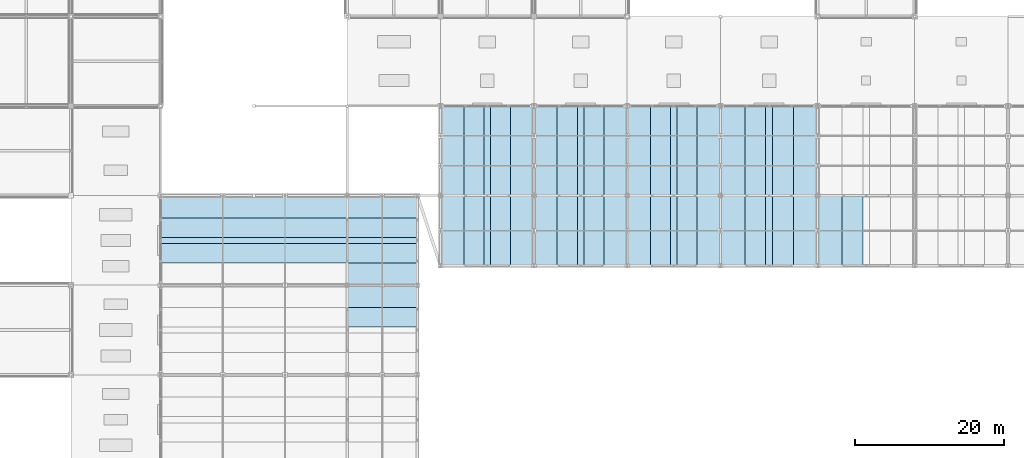
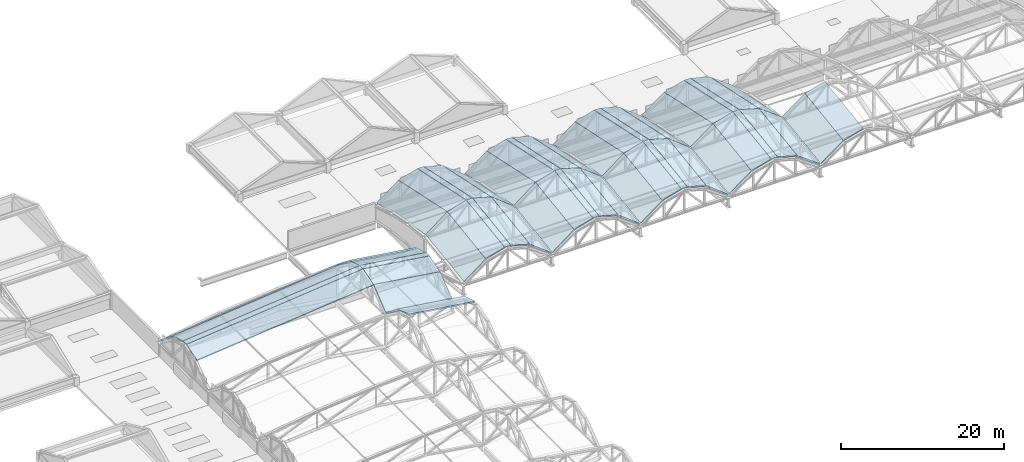
# One storey, part 92 of 117: 43 slabs, 10 plates.
"""IFC4 building model written with IfcOpenShell, lengths in metres."""

from ifc_helpers import new_model, si_unit, direction, frame, origin, place, context, subcontext, project, spatial, polyline, outline, extrude, material, layer, layer_set, type_object, element, save


model = new_model("IFC4")

# Units and contexts
model_context = context("Model", 3, precision=1e-05, world=origin(), true_north=direction((0.0, 1.0)))
body_context = subcontext(model_context, "Body", "Model", "MODEL_VIEW")
ifc_project = project(units=[si_unit("LENGTHUNIT", "METRE"), si_unit("AREAUNIT", "SQUARE_METRE"), si_unit("VOLUMEUNIT", "CUBIC_METRE"), si_unit("PLANEANGLEUNIT", "RADIAN"), si_unit("MASSUNIT", "GRAM", prefix="KILO")], contexts=[model_context])

# Site, building, storey
site_placement = place(None, origin())
site = spatial("IfcSite", under=ifc_project, at=site_placement, CompositionType="ELEMENT")
building_placement = place(site_placement, origin())
building = spatial("IfcBuilding", under=site, at=building_placement, Name="Kazenohara Klinker Stadium", CompositionType="ELEMENT")
storey_placement = place(building_placement, frame((0.0, 0.0, 31.199951171875)))
storey = spatial("IfcBuildingStorey", under=building, at=storey_placement, Name="RF", CompositionType="ELEMENT", Elevation=31.199951171875)

# Plates
ifc_material_1 = material(Name="Low-e laminated skylight triple glazing", Category="glass")
ifc_layer_1 = layer(ifc_material_1, 0.048095703125)
ifc_layer_set_1 = layer_set([ifc_layer_1], Name="Low-e laminated skylight triple glazing")
plate_type = type_object("IfcPlateType", Name="PLT-GLZ-VALLEY", PredefinedType="USERDEFINED", material=ifc_layer_set_1)
plate_1_placement = place(storey_placement, frame((24.0, 125.580078125, 5.670166015625), z_axis=(-0.101465808577, 0.0, 0.994839027024), x_axis=(0.994839027024, 0.0, 0.101465808577)))
element("IfcPlate", 1, at=plate_1_placement, inside=storey, type_object=plate_type, Name="Barrel-shell valley skylight glazing joint SKG1 W-07-OUT", ObjectType="SKYLIGHT GLAZING", PredefinedType="USERDEFINED", context=body_context, shape_type="SweptSolid", body=[
    extrude(outline(polyline([(0.0, 0.0), (25.129693669927555, 0.0), (25.129693669927555, 0.8398437499999999), (0.0, 0.8398437499999999), (0.0, 0.0)])), origin(), (0.0, 0.0, -1.0), 0.048095703125),
])
plate_2_placement = place(storey_placement, frame((49.0, 125.580078125, 8.219970703125), z_axis=(0.142144768244, 0.0, 0.989845879347), x_axis=(0.989845879347, 0.0, -0.142144768244)))
element("IfcPlate", 2, at=plate_2_placement, inside=storey, type_object=plate_type, Name="Barrel-shell valley skylight glazing joint SKG1 W-07-IN", ObjectType="SKYLIGHT GLAZING", PredefinedType="USERDEFINED", context=body_context, shape_type="SweptSolid", body=[
    extrude(outline(polyline([(0.0, 0.0), (9.496329216369972, 0.0), (9.496329216369972, 0.83984375), (0.0, 0.83984375), (0.0, 0.0)])), origin(), (0.0, 0.0, -1.0), 0.048095703125),
])
plate_3_placement = place(storey_placement, frame((67.3125, 144.0, 5.670166015625), z_axis=(0.0, 0.207843523042, 0.978162087759), x_axis=(0.0, -0.978162087759, 0.207843523042)))
element("IfcPlate", 3, at=plate_3_placement, inside=storey, type_object=plate_type, Name="Barrel-shell valley skylight glazing joint SKG1 N-01-OUT", ObjectType="SKYLIGHT GLAZING", PredefinedType="USERDEFINED", context=body_context, shape_type="SweptSolid", body=[
    extrude(outline(polyline([(0.0, 0.0), (12.26790544242973, 0.0), (12.26790544242973, 0.875), (0.0, 0.875), (0.0, 0.0)])), origin(), (0.0, 0.0, -1.0), 0.048095703125),
])
plate_4_placement = place(storey_placement, frame((67.3125, 132.0, 8.219970703125), z_axis=(0.0, -0.142144768244, 0.989845879347), x_axis=(0.0, -0.989845879347, -0.142144768244)))
element("IfcPlate", 4, at=plate_4_placement, inside=storey, type_object=plate_type, Name="Barrel-shell valley skylight glazing joint SKG1 N-01-IN", ObjectType="SKYLIGHT GLAZING", PredefinedType="USERDEFINED", context=body_context, shape_type="SweptSolid", body=[
    extrude(outline(polyline([(0.0, 0.0), (9.496329216369972, 0.0), (9.496329216369972, 0.875), (0.0, 0.875), (0.0, 0.0)])), origin(), (0.0, 0.0, -1.0), 0.048095703125),
])
plate_5_placement = place(storey_placement, frame((79.8125, 144.0, 5.670166015625), z_axis=(0.0, 0.207843523042, 0.978162087759), x_axis=(0.0, -0.978162087759, 0.207843523042)))
element("IfcPlate", 5, at=plate_5_placement, inside=storey, type_object=plate_type, Name="Barrel-shell valley skylight glazing joint SKG1 N-02-OUT", ObjectType="SKYLIGHT GLAZING", PredefinedType="USERDEFINED", context=body_context, shape_type="SweptSolid", body=[
    extrude(outline(polyline([(0.0, 0.0), (12.26790544242973, 0.0), (12.26790544242973, 0.875), (0.0, 0.875), (0.0, 0.0)])), origin(), (0.0, 0.0, -1.0), 0.048095703125),
])
plate_6_placement = place(storey_placement, frame((79.8125, 132.0, 8.219970703125), z_axis=(0.0, -0.142144768244, 0.989845879347), x_axis=(0.0, -0.989845879347, -0.142144768244)))
element("IfcPlate", 6, at=plate_6_placement, inside=storey, type_object=plate_type, Name="Barrel-shell valley skylight glazing joint SKG1 N-02-IN", ObjectType="SKYLIGHT GLAZING", PredefinedType="USERDEFINED", context=body_context, shape_type="SweptSolid", body=[
    extrude(outline(polyline([(0.0, 0.0), (9.496329216369972, 0.0), (9.496329216369972, 0.875), (0.0, 0.875), (0.0, 0.0)])), origin(), (0.0, 0.0, -1.0), 0.048095703125),
])
plate_7_placement = place(storey_placement, frame((92.3125, 144.0, 5.670166015625), z_axis=(0.0, 0.207843523042, 0.978162087759), x_axis=(0.0, -0.978162087759, 0.207843523042)))
element("IfcPlate", 7, at=plate_7_placement, inside=storey, type_object=plate_type, Name="Barrel-shell valley skylight glazing joint SKG1 N-03-OUT", ObjectType="SKYLIGHT GLAZING", PredefinedType="USERDEFINED", context=body_context, shape_type="SweptSolid", body=[
    extrude(outline(polyline([(0.0, 0.0), (12.26790544242973, 0.0), (12.26790544242973, 0.875), (0.0, 0.875), (0.0, 0.0)])), origin(), (0.0, 0.0, -1.0), 0.048095703125),
])
plate_8_placement = place(storey_placement, frame((92.3125, 132.0, 8.219970703125), z_axis=(0.0, -0.142144768244, 0.989845879347), x_axis=(0.0, -0.989845879347, -0.142144768244)))
element("IfcPlate", 8, at=plate_8_placement, inside=storey, type_object=plate_type, Name="Barrel-shell valley skylight glazing joint SKG1 N-03-IN", ObjectType="SKYLIGHT GLAZING", PredefinedType="USERDEFINED", context=body_context, shape_type="SweptSolid", body=[
    extrude(outline(polyline([(0.0, 0.0), (9.496329216369972, 0.0), (9.496329216369972, 0.875), (0.0, 0.875), (0.0, 0.0)])), origin(), (0.0, 0.0, -1.0), 0.048095703125),
])
plate_9_placement = place(storey_placement, frame((105.044921875, 144.0, 5.670166015625), z_axis=(0.0, 0.207843523042, 0.978162087759), x_axis=(0.0, -0.978162087759, 0.207843523042)))
element("IfcPlate", 9, at=plate_9_placement, inside=storey, type_object=plate_type, Name="Barrel-shell valley skylight glazing joint SKG1 N-04-OUT", ObjectType="SKYLIGHT GLAZING", PredefinedType="USERDEFINED", context=body_context, shape_type="SweptSolid", body=[
    extrude(outline(polyline([(0.0, 0.0), (12.26790544242973, 0.0), (12.26790544242973, 0.91015625), (0.0, 0.91015625), (0.0, 0.0)])), origin(), (0.0, 0.0, -1.0), 0.048095703125),
])
plate_10_placement = place(storey_placement, frame((105.044921875, 132.0, 8.219970703125), z_axis=(0.0, -0.142144768244, 0.989845879347), x_axis=(0.0, -0.989845879347, -0.142144768244)))
element("IfcPlate", 10, at=plate_10_placement, inside=storey, type_object=plate_type, Name="Barrel-shell valley skylight glazing joint SKG1 N-04-IN", ObjectType="SKYLIGHT GLAZING", PredefinedType="USERDEFINED", context=body_context, shape_type="SweptSolid", body=[
    extrude(outline(polyline([(0.0, 0.0), (9.496329216369972, 0.0), (9.496329216369972, 0.91015625), (0.0, 0.91015625), (0.0, 0.0)])), origin(), (0.0, 0.0, -1.0), 0.048095703125),
])

# Slabs
ifc_material_2 = material(Name="Steel S355", Category="steel")
ifc_layer_2 = layer(ifc_material_2, 0.18994140625)
ifc_layer_set_2 = layer_set([ifc_layer_2], Name="Steel S355")
slab_type = type_object("IfcSlabType", Name="SLB-ROOF-190", PredefinedType="ROOF", material=ifc_layer_set_2)
slab_1_placement = place(storey_placement, frame((49.0, 114.384033203125, 8.219970703125), z_axis=(0.136061259308, 0.289700944037, 0.947396800047), x_axis=(0.989844222428, -3.528061e-06, -0.142156305924)))
element("IfcSlab", 11, at=slab_1_placement, inside=storey, type_object=slab_type, Name="Scalloped barrel-arch canopy slab W-06 inner strip 3", PredefinedType="ROOF", context=body_context, shape_type="SweptSolid", body=[
    extrude(outline(polyline([(0.0, 0.0), (9.496329215665769, 1.1102230246251565e-16), (9.61005197233993, 2.7332082853263064), (0.11368805054478547, 2.7331382757350666), (0.0, 0.0)])), origin(), (0.0, 0.0, -1.0), 0.18994140625),
])
slab_2_placement = place(storey_placement, frame((49.0, 117.0, 7.420166015625), z_axis=(0.111454741468, 0.620818608848, 0.775991040871), x_axis=(0.989842261755, 0.0, -0.1421699576)))
element("IfcSlab", 12, at=slab_2_placement, inside=storey, type_object=slab_type, Name="Scalloped barrel-arch canopy slab W-06 inner strip 4", PredefinedType="ROOF", context=body_context, shape_type="SweptSolid", body=[
    extrude(outline(polyline([(0.0, 0.0), (9.496363922757409, 0.0), (9.830754882600127, 3.750144135328325), (0.33439095984271777, 3.750144135328325), (0.0, 0.0)])), origin(), (0.0, 0.0, -1.0), 0.18994140625),
])
slab_3_placement = place(storey_placement, frame((49.0, 120.06005859375, 5.068115234375), z_axis=(0.111454741468, -0.620818608848, 0.775991040871), x_axis=(0.989842261755, 0.0, -0.1421699576)))
element("IfcSlab", 13, at=slab_3_placement, inside=storey, type_object=slab_type, Name="Scalloped barrel-arch canopy slab W-07 inner strip 1", PredefinedType="ROOF", context=body_context, shape_type="SweptSolid", body=[
    extrude(outline(polyline([(0.0, 0.0), (9.496363922757409, 0.0), (9.16197296291469, 3.750144135328325), (-0.33439095984271777, 3.750144135328325), (0.0, 0.0)])), origin(), (0.0, 0.0, -1.0), 0.18994140625),
])
slab_4_placement = place(storey_placement, frame((24.0, 123.0, 4.8701171875), z_axis=(-0.097078068979, -0.291039160051, 0.951773111535), x_axis=(0.994838495138, 1.345573e-06, 0.101471023396)))
element("IfcSlab", 14, at=slab_4_placement, inside=storey, type_object=slab_type, Name="Scalloped barrel-arch canopy slab W-07 outer strip 2", PredefinedType="ROOF", context=body_context, shape_type="SweptSolid", body=[
    extrude(outline(polyline([(0.0, 0.0), (25.129718442758627, 0.0), (25.210878962890696, 2.7342974924050907), (0.08118529333114288, 2.734368180107577), (0.0, 0.0)])), origin(), (0.0, 0.0, -1.0), 0.18994140625),
])
slab_5_placement = place(storey_placement, frame((49.0, 123.0, 7.420166015625), z_axis=(0.136061259308, -0.289700944037, 0.947396800047), x_axis=(0.989843918815, -3.528048e-06, -0.142158419982)))
element("IfcSlab", 15, at=slab_5_placement, inside=storey, type_object=slab_type, Name="Scalloped barrel-arch canopy slab W-07 inner strip 2", PredefinedType="ROOF", context=body_context, shape_type="SweptSolid", body=[
    extrude(outline(polyline([(0.0, 0.0), (9.49636392205321, 0.0), (9.382621015480932, 2.733207446859171), (-0.11370819992677195, 2.733137437523795), (0.0, 0.0)])), origin(), (0.0, 0.0, -1.0), 0.18994140625),
])
slab_6_placement = place(storey_placement, frame((24.0, 126.384033203125, 5.670166015625), z_axis=(-0.097078068979, 0.291039160051, 0.951773111535), x_axis=(0.994838578209, 1.345574e-06, 0.101470208953)))
element("IfcSlab", 16, at=slab_6_placement, inside=storey, type_object=slab_type, Name="Scalloped barrel-arch canopy slab W-07 outer strip 3", PredefinedType="ROOF", context=body_context, shape_type="SweptSolid", body=[
    extrude(outline(polyline([(0.0, 0.0), (25.12969366965898, -1.1102230246251565e-16), (25.04854084087477, 2.734297720691951), (-0.08117760178444054, 2.734368408464122), (0.0, 0.0)])), origin(), (0.0, 0.0, -1.0), 0.18994140625),
])
slab_7_placement = place(storey_placement, frame((49.0, 126.384033203125, 8.219970703125), z_axis=(0.136061259308, 0.289700944037, 0.947396800047), x_axis=(0.989844222428, -3.528061e-06, -0.142156305924)))
element("IfcSlab", 17, at=slab_7_placement, inside=storey, type_object=slab_type, Name="Scalloped barrel-arch canopy slab W-07 inner strip 3", PredefinedType="ROOF", context=body_context, shape_type="SweptSolid", body=[
    extrude(outline(polyline([(0.0, 0.0), (9.496329215665769, 1.1102230246251565e-16), (9.61005197233993, 2.7332082853263064), (0.11368805054478547, 2.7331382757350666), (0.0, 0.0)])), origin(), (0.0, 0.0, -1.0), 0.18994140625),
])
slab_8_placement = place(storey_placement, frame((24.0, 129.0, 4.8701171875), z_axis=(-0.079397405078, 0.622738677702, 0.778391027287), x_axis=(0.994838046303, 0.0, 0.101475423766)))
element("IfcSlab", 18, at=slab_8_placement, inside=storey, type_object=slab_type, Name="Scalloped barrel-arch canopy slab W-07 outer strip 4", PredefinedType="ROOF", context=body_context, shape_type="SweptSolid", body=[
    extrude(outline(polyline([(0.0, 0.0), (25.129718443027205, 0.0), (24.891043093280846, 3.7574502561158964), (-0.2386753497463593, 3.757450256115897), (0.0, 0.0)])), origin(), (0.0, 0.0, -1.0), 0.18994140625),
])
slab_9_placement = place(storey_placement, frame((49.0, 129.0, 7.420166015625), z_axis=(0.111454741468, 0.620818608848, 0.775991040871), x_axis=(0.989842261755, 0.0, -0.1421699576)))
element("IfcSlab", 19, at=slab_9_placement, inside=storey, type_object=slab_type, Name="Scalloped barrel-arch canopy slab W-07 inner strip 4", PredefinedType="ROOF", context=body_context, shape_type="SweptSolid", body=[
    extrude(outline(polyline([(0.0, 0.0), (9.496363922757409, 0.0), (9.830754882600127, 3.750144135328325), (0.33439095984271777, 3.750144135328325), (0.0, 0.0)])), origin(), (0.0, 0.0, -1.0), 0.18994140625),
])
slab_10_placement = place(storey_placement, frame((61.5625, 144.0, 2.51806640625), z_axis=(-0.600635128848, 0.166190954627, 0.782060105487), x_axis=(0.0, -0.978158041674, 0.207862563991)))
element("IfcSlab", 20, at=slab_10_placement, inside=storey, type_object=slab_type, Name="Scalloped barrel-arch canopy slab N-01 outer strip 1", PredefinedType="ROOF", context=body_context, shape_type="SweptSolid", body=[
    extrude(outline(polyline([(0.0, 0.0), (12.267956187801687, 0.0), (12.75685949382921, 3.8304076395253412), (0.48890330602752313, 3.8304076395253412), (0.0, 0.0)])), origin(), (0.0, 0.0, -1.0), 0.18994140625),
])
slab_11_placement = place(storey_placement, frame((61.5625, 132.0, 5.068115234375), z_axis=(-0.605191890352, -0.113178607114, 0.787993260595), x_axis=(0.0, -0.989842261755, -0.1421699576)))
element("IfcSlab", 21, at=slab_11_placement, inside=storey, type_object=slab_type, Name="Scalloped barrel-arch canopy slab N-01 inner strip 1", PredefinedType="ROOF", context=body_context, shape_type="SweptSolid", body=[
    extrude(outline(polyline([(0.0, 0.0), (9.496363922757409, 1.1102230246251565e-16), (9.16197296291469, 3.846976970759534), (-0.33439095984271777, 3.846976970759534), (0.0, 0.0)])), origin(), (0.0, 0.0, -1.0), 0.18994140625),
])
slab_12_placement = place(storey_placement, frame((64.625, 144.0, 4.8701171875), z_axis=(-0.275978642066, 0.199780814547, 0.940172013656), x_axis=(2.581788e-06, -0.978159910672, 0.207853768663)))
element("IfcSlab", 22, at=slab_12_placement, inside=storey, type_object=slab_type, Name="Scalloped barrel-arch canopy slab N-01 outer strip 2", PredefinedType="ROOF", context=body_context, shape_type="SweptSolid", body=[
    extrude(outline(polyline([(0.0, 0.0), (12.267956187264863, -1.1102230246251565e-16), (12.43420564138151, 2.835172989445379), (0.16630019966563842, 2.835238895384851), (0.0, 0.0)])), origin(), (0.0, 0.0, -1.0), 0.18994140625),
])
slab_13_placement = place(storey_placement, frame((64.625, 132.0, 7.420166015625), z_axis=(-0.279019930215, -0.136511627499, 0.950532721215), x_axis=(-3.40922e-06, -0.989843929803, -0.142158343476)))
element("IfcSlab", 23, at=slab_13_placement, inside=storey, type_object=slab_type, Name="Scalloped barrel-arch canopy slab N-01 inner strip 2", PredefinedType="ROOF", context=body_context, shape_type="SweptSolid", body=[
    extrude(outline(polyline([(0.0, 0.0), (9.496363922048538, -5.551115123125783e-17), (9.382621015485547, 2.837833311036194), (-0.11370819993616703, 2.8377658828821857), (0.0, 0.0)])), origin(), (0.0, 0.0, -1.0), 0.18994140625),
])
slab_14_placement = place(storey_placement, frame((68.14990234375, 144.0, 5.670166015625), z_axis=(0.275978642066, 0.199780814547, 0.940172013656), x_axis=(2.581799e-06, -0.978160218839, 0.207852318424)))
element("IfcSlab", 24, at=slab_14_placement, inside=storey, type_object=slab_type, Name="Scalloped barrel-arch canopy slab N-01 outer strip 3", PredefinedType="ROOF", context=body_context, shape_type="SweptSolid", body=[
    extrude(outline(polyline([(0.0, 0.0), (12.267905441892902, 0.0), (12.101671218963823, 2.83517388253382), (-0.16628496812400692, 2.835239788745908), (0.0, 0.0)])), origin(), (0.0, 0.0, -1.0), 0.18994140625),
])
slab_15_placement = place(storey_placement, frame((68.14990234375, 132.0, 8.219970703125), z_axis=(0.279019930215, -0.136511627499, 0.950532721215), x_axis=(-3.409232e-06, -0.989844211441, -0.142156382431)))
element("IfcSlab", 25, at=slab_15_placement, inside=storey, type_object=slab_type, Name="Scalloped barrel-arch canopy slab N-01 inner strip 3", PredefinedType="ROOF", context=body_context, shape_type="SweptSolid", body=[
    extrude(outline(polyline([(0.0, 0.0), (9.496329215661099, 1.1102230246251565e-16), (9.610051972344655, 2.837834118589799), (0.11368805053550218, 2.8377666901893592), (0.0, 0.0)])), origin(), (0.0, 0.0, -1.0), 0.18994140625),
])
slab_16_placement = place(storey_placement, frame((70.875, 144.0, 4.8701171875), z_axis=(0.600635128848, 0.166190954627, 0.782060105487), x_axis=(0.0, -0.978158041674, 0.207862563991)))
element("IfcSlab", 26, at=slab_16_placement, inside=storey, type_object=slab_type, Name="Scalloped barrel-arch canopy slab N-01 outer strip 4", PredefinedType="ROOF", context=body_context, shape_type="SweptSolid", body=[
    extrude(outline(polyline([(0.0, 0.0), (12.267956187801687, 0.0), (11.779052881774163, 3.8304076395253412), (-0.48890330602752313, 3.8304076395253412), (0.0, 0.0)])), origin(), (0.0, 0.0, -1.0), 0.18994140625),
])
slab_17_placement = place(storey_placement, frame((70.875, 132.0, 7.420166015625), z_axis=(0.605191890352, -0.113178607114, 0.787993260595), x_axis=(0.0, -0.989842261755, -0.1421699576)))
element("IfcSlab", 27, at=slab_17_placement, inside=storey, type_object=slab_type, Name="Scalloped barrel-arch canopy slab N-01 inner strip 4", PredefinedType="ROOF", context=body_context, shape_type="SweptSolid", body=[
    extrude(outline(polyline([(0.0, 0.0), (9.496363922757409, -1.1102230246251565e-16), (9.830754882600127, 3.8469769707595334), (0.33439095984271777, 3.846976970759534), (0.0, 0.0)])), origin(), (0.0, 0.0, -1.0), 0.18994140625),
])
slab_18_placement = place(storey_placement, frame((74.0625, 144.0, 2.51806640625), z_axis=(-0.600635128848, 0.166190954627, 0.782060105487), x_axis=(0.0, -0.978158041674, 0.207862563991)))
element("IfcSlab", 28, at=slab_18_placement, inside=storey, type_object=slab_type, Name="Scalloped barrel-arch canopy slab N-02 outer strip 1", PredefinedType="ROOF", context=body_context, shape_type="SweptSolid", body=[
    extrude(outline(polyline([(0.0, 0.0), (12.267956187801687, 0.0), (12.75685949382921, 3.8304076395253412), (0.48890330602752313, 3.8304076395253412), (0.0, 0.0)])), origin(), (0.0, 0.0, -1.0), 0.18994140625),
])
slab_19_placement = place(storey_placement, frame((74.0625, 132.0, 5.068115234375), z_axis=(-0.605191890352, -0.113178607114, 0.787993260595), x_axis=(0.0, -0.989842261755, -0.1421699576)))
element("IfcSlab", 29, at=slab_19_placement, inside=storey, type_object=slab_type, Name="Scalloped barrel-arch canopy slab N-02 inner strip 1", PredefinedType="ROOF", context=body_context, shape_type="SweptSolid", body=[
    extrude(outline(polyline([(0.0, 0.0), (9.496363922757409, 1.1102230246251565e-16), (9.16197296291469, 3.846976970759534), (-0.33439095984271777, 3.846976970759534), (0.0, 0.0)])), origin(), (0.0, 0.0, -1.0), 0.18994140625),
])
slab_20_placement = place(storey_placement, frame((77.125, 144.0, 4.8701171875), z_axis=(-0.275978642066, 0.199780814547, 0.940172013656), x_axis=(2.581788e-06, -0.978159910672, 0.207853768663)))
element("IfcSlab", 30, at=slab_20_placement, inside=storey, type_object=slab_type, Name="Scalloped barrel-arch canopy slab N-02 outer strip 2", PredefinedType="ROOF", context=body_context, shape_type="SweptSolid", body=[
    extrude(outline(polyline([(0.0, 0.0), (12.267956187264863, -1.1102230246251565e-16), (12.43420564138151, 2.835172989445379), (0.16630019966563842, 2.835238895384851), (0.0, 0.0)])), origin(), (0.0, 0.0, -1.0), 0.18994140625),
])
slab_21_placement = place(storey_placement, frame((77.125, 132.0, 7.420166015625), z_axis=(-0.279019930215, -0.136511627499, 0.950532721215), x_axis=(-3.40922e-06, -0.989843929803, -0.142158343476)))
element("IfcSlab", 31, at=slab_21_placement, inside=storey, type_object=slab_type, Name="Scalloped barrel-arch canopy slab N-02 inner strip 2", PredefinedType="ROOF", context=body_context, shape_type="SweptSolid", body=[
    extrude(outline(polyline([(0.0, 0.0), (9.496363922048538, -5.551115123125783e-17), (9.382621015485547, 2.837833311036194), (-0.11370819993616703, 2.8377658828821857), (0.0, 0.0)])), origin(), (0.0, 0.0, -1.0), 0.18994140625),
])
slab_22_placement = place(storey_placement, frame((80.64990234375, 144.0, 5.670166015625), z_axis=(0.275978642066, 0.199780814547, 0.940172013656), x_axis=(2.581799e-06, -0.978160218839, 0.207852318424)))
element("IfcSlab", 32, at=slab_22_placement, inside=storey, type_object=slab_type, Name="Scalloped barrel-arch canopy slab N-02 outer strip 3", PredefinedType="ROOF", context=body_context, shape_type="SweptSolid", body=[
    extrude(outline(polyline([(0.0, 0.0), (12.267905441892902, 0.0), (12.101671218963823, 2.83517388253382), (-0.16628496812400692, 2.835239788745908), (0.0, 0.0)])), origin(), (0.0, 0.0, -1.0), 0.18994140625),
])
slab_23_placement = place(storey_placement, frame((80.64990234375, 132.0, 8.219970703125), z_axis=(0.279019930215, -0.136511627499, 0.950532721215), x_axis=(-3.409232e-06, -0.989844211441, -0.142156382431)))
element("IfcSlab", 33, at=slab_23_placement, inside=storey, type_object=slab_type, Name="Scalloped barrel-arch canopy slab N-02 inner strip 3", PredefinedType="ROOF", context=body_context, shape_type="SweptSolid", body=[
    extrude(outline(polyline([(0.0, 0.0), (9.496329215661099, 1.1102230246251565e-16), (9.610051972344655, 2.837834118589799), (0.11368805053550218, 2.8377666901893592), (0.0, 0.0)])), origin(), (0.0, 0.0, -1.0), 0.18994140625),
])
slab_24_placement = place(storey_placement, frame((83.375, 144.0, 4.8701171875), z_axis=(0.600635128848, 0.166190954627, 0.782060105487), x_axis=(0.0, -0.978158041674, 0.207862563991)))
element("IfcSlab", 34, at=slab_24_placement, inside=storey, type_object=slab_type, Name="Scalloped barrel-arch canopy slab N-02 outer strip 4", PredefinedType="ROOF", context=body_context, shape_type="SweptSolid", body=[
    extrude(outline(polyline([(0.0, 0.0), (12.267956187801687, 0.0), (11.779052881774163, 3.8304076395253412), (-0.48890330602752313, 3.8304076395253412), (0.0, 0.0)])), origin(), (0.0, 0.0, -1.0), 0.18994140625),
])
slab_25_placement = place(storey_placement, frame((83.375, 132.0, 7.420166015625), z_axis=(0.605191890352, -0.113178607114, 0.787993260595), x_axis=(0.0, -0.989842261755, -0.1421699576)))
element("IfcSlab", 35, at=slab_25_placement, inside=storey, type_object=slab_type, Name="Scalloped barrel-arch canopy slab N-02 inner strip 4", PredefinedType="ROOF", context=body_context, shape_type="SweptSolid", body=[
    extrude(outline(polyline([(0.0, 0.0), (9.496363922757409, -1.1102230246251565e-16), (9.830754882600127, 3.8469769707595334), (0.33439095984271777, 3.846976970759534), (0.0, 0.0)])), origin(), (0.0, 0.0, -1.0), 0.18994140625),
])
slab_26_placement = place(storey_placement, frame((86.5625, 144.0, 2.51806640625), z_axis=(-0.600635128848, 0.166190954627, 0.782060105487), x_axis=(0.0, -0.978158041674, 0.207862563991)))
element("IfcSlab", 36, at=slab_26_placement, inside=storey, type_object=slab_type, Name="Scalloped barrel-arch canopy slab N-03 outer strip 1", PredefinedType="ROOF", context=body_context, shape_type="SweptSolid", body=[
    extrude(outline(polyline([(0.0, 0.0), (12.267956187801687, 0.0), (12.75685949382921, 3.8304076395253412), (0.48890330602752313, 3.8304076395253412), (0.0, 0.0)])), origin(), (0.0, 0.0, -1.0), 0.18994140625),
])
slab_27_placement = place(storey_placement, frame((86.5625, 132.0, 5.068115234375), z_axis=(-0.605191890352, -0.113178607114, 0.787993260595), x_axis=(0.0, -0.989842261755, -0.1421699576)))
element("IfcSlab", 37, at=slab_27_placement, inside=storey, type_object=slab_type, Name="Scalloped barrel-arch canopy slab N-03 inner strip 1", PredefinedType="ROOF", context=body_context, shape_type="SweptSolid", body=[
    extrude(outline(polyline([(0.0, 0.0), (9.496363922757409, 1.1102230246251565e-16), (9.16197296291469, 3.846976970759534), (-0.33439095984271777, 3.846976970759534), (0.0, 0.0)])), origin(), (0.0, 0.0, -1.0), 0.18994140625),
])
slab_28_placement = place(storey_placement, frame((89.625, 144.0, 4.8701171875), z_axis=(-0.275978642066, 0.199780814547, 0.940172013656), x_axis=(2.581788e-06, -0.978159910672, 0.207853768663)))
element("IfcSlab", 38, at=slab_28_placement, inside=storey, type_object=slab_type, Name="Scalloped barrel-arch canopy slab N-03 outer strip 2", PredefinedType="ROOF", context=body_context, shape_type="SweptSolid", body=[
    extrude(outline(polyline([(0.0, 0.0), (12.267956187264863, -1.1102230246251565e-16), (12.43420564138151, 2.835172989445379), (0.16630019966563842, 2.835238895384851), (0.0, 0.0)])), origin(), (0.0, 0.0, -1.0), 0.18994140625),
])
slab_29_placement = place(storey_placement, frame((89.625, 132.0, 7.420166015625), z_axis=(-0.279019930215, -0.136511627499, 0.950532721215), x_axis=(-3.40922e-06, -0.989843929803, -0.142158343476)))
element("IfcSlab", 39, at=slab_29_placement, inside=storey, type_object=slab_type, Name="Scalloped barrel-arch canopy slab N-03 inner strip 2", PredefinedType="ROOF", context=body_context, shape_type="SweptSolid", body=[
    extrude(outline(polyline([(0.0, 0.0), (9.496363922048538, -5.551115123125783e-17), (9.382621015485547, 2.837833311036194), (-0.11370819993616703, 2.8377658828821857), (0.0, 0.0)])), origin(), (0.0, 0.0, -1.0), 0.18994140625),
])
slab_30_placement = place(storey_placement, frame((93.14990234375, 144.0, 5.670166015625), z_axis=(0.275978642066, 0.199780814547, 0.940172013656), x_axis=(2.581799e-06, -0.978160218839, 0.207852318424)))
element("IfcSlab", 40, at=slab_30_placement, inside=storey, type_object=slab_type, Name="Scalloped barrel-arch canopy slab N-03 outer strip 3", PredefinedType="ROOF", context=body_context, shape_type="SweptSolid", body=[
    extrude(outline(polyline([(0.0, 0.0), (12.267905441892902, 0.0), (12.101671218963823, 2.83517388253382), (-0.16628496812400692, 2.835239788745908), (0.0, 0.0)])), origin(), (0.0, 0.0, -1.0), 0.18994140625),
])
slab_31_placement = place(storey_placement, frame((93.14990234375, 132.0, 8.219970703125), z_axis=(0.279019930215, -0.136511627499, 0.950532721215), x_axis=(-3.409232e-06, -0.989844211441, -0.142156382431)))
element("IfcSlab", 41, at=slab_31_placement, inside=storey, type_object=slab_type, Name="Scalloped barrel-arch canopy slab N-03 inner strip 3", PredefinedType="ROOF", context=body_context, shape_type="SweptSolid", body=[
    extrude(outline(polyline([(0.0, 0.0), (9.496329215661099, 1.1102230246251565e-16), (9.610051972344655, 2.837834118589799), (0.11368805053550218, 2.8377666901893592), (0.0, 0.0)])), origin(), (0.0, 0.0, -1.0), 0.18994140625),
])
slab_32_placement = place(storey_placement, frame((95.875, 144.0, 4.8701171875), z_axis=(0.600635128848, 0.166190954627, 0.782060105487), x_axis=(0.0, -0.978158041674, 0.207862563991)))
element("IfcSlab", 42, at=slab_32_placement, inside=storey, type_object=slab_type, Name="Scalloped barrel-arch canopy slab N-03 outer strip 4", PredefinedType="ROOF", context=body_context, shape_type="SweptSolid", body=[
    extrude(outline(polyline([(0.0, 0.0), (12.267956187801687, 0.0), (11.779052881774163, 3.8304076395253412), (-0.48890330602752313, 3.8304076395253412), (0.0, 0.0)])), origin(), (0.0, 0.0, -1.0), 0.18994140625),
])
slab_33_placement = place(storey_placement, frame((95.875, 132.0, 7.420166015625), z_axis=(0.605191890352, -0.113178607114, 0.787993260595), x_axis=(0.0, -0.989842261755, -0.1421699576)))
element("IfcSlab", 43, at=slab_33_placement, inside=storey, type_object=slab_type, Name="Scalloped barrel-arch canopy slab N-03 inner strip 4", PredefinedType="ROOF", context=body_context, shape_type="SweptSolid", body=[
    extrude(outline(polyline([(0.0, 0.0), (9.496363922757409, -1.1102230246251565e-16), (9.830754882600127, 3.8469769707595334), (0.33439095984271777, 3.846976970759534), (0.0, 0.0)])), origin(), (0.0, 0.0, -1.0), 0.18994140625),
])
slab_34_placement = place(storey_placement, frame((99.06494140625, 144.0, 2.51806640625), z_axis=(-0.585550314677, 0.168500890819, 0.79293018531), x_axis=(0.0, -0.978158041674, 0.207862563991)))
element("IfcSlab", 44, at=slab_34_placement, inside=storey, type_object=slab_type, Name="Scalloped barrel-arch canopy slab N-04 outer strip 1", PredefinedType="ROOF", context=body_context, shape_type="SweptSolid", body=[
    extrude(outline(polyline([(0.0, 0.0), (12.267956187801687, -2.220446049250313e-16), (12.75685949382921, 3.929085730873637), (0.48890330602752313, 3.929085730873637), (0.0, 0.0)])), origin(), (0.0, 0.0, -1.0), 0.18994140625),
])
slab_35_placement = place(storey_placement, frame((99.06494140625, 132.0, 5.068115234375), z_axis=(-0.590118441412, -0.114776178456, 0.799116170506), x_axis=(0.0, -0.989842261755, -0.1421699576)))
element("IfcSlab", 45, at=slab_35_placement, inside=storey, type_object=slab_type, Name="Scalloped barrel-arch canopy slab N-04 inner strip 1", PredefinedType="ROOF", context=body_context, shape_type="SweptSolid", body=[
    extrude(outline(polyline([(0.0, 0.0), (9.496363922757409, 1.1102230246251565e-16), (9.16197296291469, 3.9452406528848067), (-0.33439095984271777, 3.9452406528848067), (0.0, 0.0)])), origin(), (0.0, 0.0, -1.0), 0.18994140625),
])
slab_36_placement = place(storey_placement, frame((102.25, 144.0, 4.8701171875), z_axis=(-0.266140012062, 0.200356695204, 0.942882118118), x_axis=(2.496925e-06, -0.978159921463, 0.207853717884)))
element("IfcSlab", 46, at=slab_36_placement, inside=storey, type_object=slab_type, Name="Scalloped barrel-arch canopy slab N-04 outer strip 2", PredefinedType="ROOF", context=body_context, shape_type="SweptSolid", body=[
    extrude(outline(polyline([(0.0, 0.0), (12.267956187261762, 0.0), (12.43420564138465, 2.9399857281366906), (0.16630019965948178, 2.940049284531471), (0.0, 0.0)])), origin(), (0.0, 0.0, -1.0), 0.18994140625),
])
slab_37_placement = place(storey_placement, frame((102.25, 132.0, 7.420166015625), z_axis=(-0.269090093671, -0.136913889971, 0.953333681468), x_axis=(-3.29758e-06, -0.989843939648, -0.142158274928)))
element("IfcSlab", 47, at=slab_37_placement, inside=storey, type_object=slab_type, Name="Scalloped barrel-arch canopy slab N-04 inner strip 2", PredefinedType="ROOF", context=body_context, shape_type="SweptSolid", body=[
    extrude(outline(polyline([(0.0, 0.0), (9.496363922044354, 0.0), (9.38262101548968, 2.942551291446587), (-0.11370819994458485, 2.942486262943912), (0.0, 0.0)])), origin(), (0.0, 0.0, -1.0), 0.18994140625),
])
slab_38_placement = place(storey_placement, frame((105.916015625, 144.0, 5.670166015625), z_axis=(0.266140012062, 0.200356695204, 0.942882118118), x_axis=(2.496935e-06, -0.978160208049, 0.207852369204)))
element("IfcSlab", 48, at=slab_38_placement, inside=storey, type_object=slab_type, Name="Scalloped barrel-arch canopy slab N-04 outer strip 3", PredefinedType="ROOF", context=body_context, shape_type="SweptSolid", body=[
    extrude(outline(polyline([(0.0, 0.0), (12.267905441889804, 1.1102230246251565e-16), (12.101671218966882, 2.9399865893865567), (-0.1662849681302476, 2.940050146044234), (0.0, 0.0)])), origin(), (0.0, 0.0, -1.0), 0.18994140625),
])
slab_39_placement = place(storey_placement, frame((105.916015625, 132.0, 8.219970703125), z_axis=(0.269090093671, -0.136913889971, 0.953333681468), x_axis=(-3.297592e-06, -0.989844201596, -0.14215645098)))
element("IfcSlab", 49, at=slab_39_placement, inside=storey, type_object=slab_type, Name="Scalloped barrel-arch canopy slab N-04 inner strip 3", PredefinedType="ROOF", context=body_context, shape_type="SweptSolid", body=[
    extrude(outline(polyline([(0.0, 0.0), (9.496329215656914, 0.0), (9.610051972348888, 2.9425520702607555), (0.11368805052718453, 2.9424870415204203), (0.0, 0.0)])), origin(), (0.0, 0.0, -1.0), 0.18994140625),
])
slab_40_placement = place(storey_placement, frame((108.75, 144.0, 4.8701171875), z_axis=(0.585550314677, 0.168500890819, 0.79293018531), x_axis=(0.0, -0.978158041674, 0.207862563991)))
element("IfcSlab", 50, at=slab_40_placement, inside=storey, type_object=slab_type, Name="Scalloped barrel-arch canopy slab N-04 outer strip 4", PredefinedType="ROOF", context=body_context, shape_type="SweptSolid", body=[
    extrude(outline(polyline([(0.0, 0.0), (12.267956187801687, 2.220446049250313e-16), (11.779052881774163, 3.9290857308736378), (-0.48890330602752313, 3.929085730873637), (0.0, 0.0)])), origin(), (0.0, 0.0, -1.0), 0.18994140625),
])
slab_41_placement = place(storey_placement, frame((108.75, 132.0, 7.420166015625), z_axis=(0.590118441412, -0.114776178456, 0.799116170506), x_axis=(0.0, -0.989842261755, -0.1421699576)))
element("IfcSlab", 51, at=slab_41_placement, inside=storey, type_object=slab_type, Name="Scalloped barrel-arch canopy slab N-04 inner strip 4", PredefinedType="ROOF", context=body_context, shape_type="SweptSolid", body=[
    extrude(outline(polyline([(0.0, 0.0), (9.496363922757409, -1.1102230246251565e-16), (9.830754882600127, 3.9452406528848063), (0.33439095984271777, 3.9452406528848067), (0.0, 0.0)])), origin(), (0.0, 0.0, -1.0), 0.18994140625),
])
slab_42_placement = place(storey_placement, frame((112.06494140625, 132.0, 5.068115234375), z_axis=(-0.590118441412, -0.114776178456, 0.799116170506), x_axis=(0.0, -0.989842261755, -0.1421699576)))
element("IfcSlab", 52, at=slab_42_placement, inside=storey, type_object=slab_type, Name="Scalloped barrel-arch canopy slab N-05 inner strip 1", PredefinedType="ROOF", context=body_context, shape_type="SweptSolid", body=[
    extrude(outline(polyline([(0.0, 0.0), (9.496363922757409, 1.1102230246251565e-16), (9.16197296291469, 3.9452406528848067), (-0.33439095984271777, 3.9452406528848067), (0.0, 0.0)])), origin(), (0.0, 0.0, -1.0), 0.18994140625),
])
slab_43_placement = place(storey_placement, frame((115.25, 132.0, 7.420166015625), z_axis=(-0.269090093671, -0.136913889971, 0.953333681468), x_axis=(-3.29758e-06, -0.989843939648, -0.142158274928)))
element("IfcSlab", 53, at=slab_43_placement, inside=storey, type_object=slab_type, Name="Scalloped barrel-arch canopy slab N-05 inner strip 2", PredefinedType="ROOF", context=body_context, shape_type="SweptSolid", body=[
    extrude(outline(polyline([(0.0, 0.0), (9.496363922044354, 0.0), (9.38262101548968, 2.942551291446587), (-0.11370819994458485, 2.942486262943912), (0.0, 0.0)])), origin(), (0.0, 0.0, -1.0), 0.18994140625),
])

save(model, "model.ifc")
